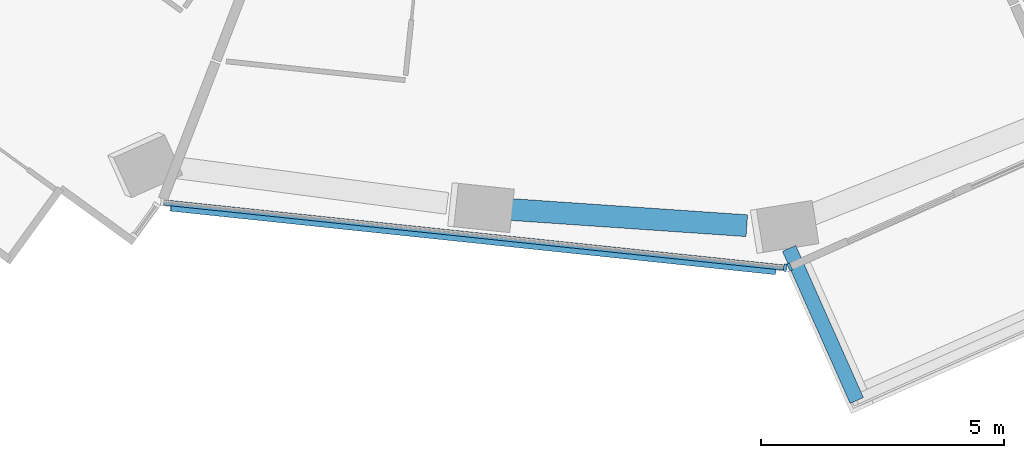
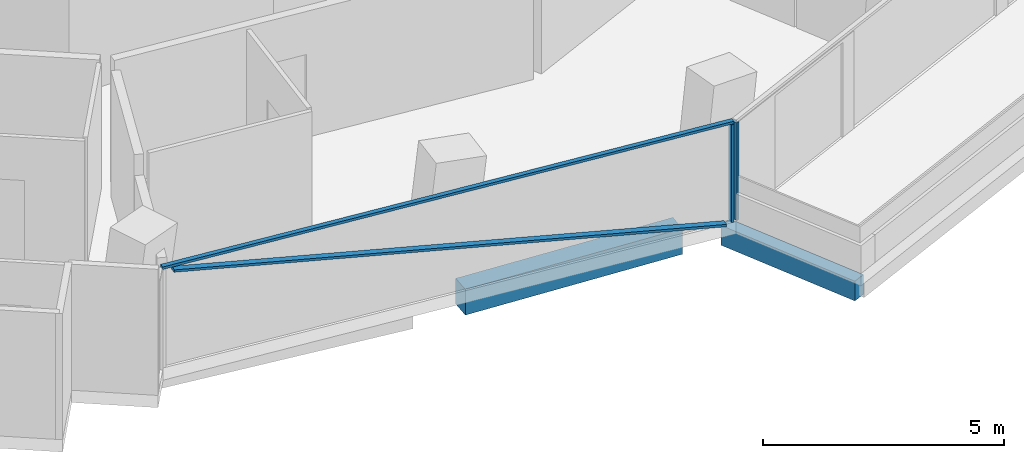
# One storey, part 3 of 23: 4 members, 2 beams, 2 elements without a shape of their own.
"""IFC4 building model written with IfcOpenShell, lengths in metres."""

from ifc_helpers import new_model, si_unit, direction, frame, origin, origin_2d, place, context, subcontext, project, spatial, rectangle, extrude, material, layer, layer_set, material_profile, profile_set, type_object, element, aggregate, save


model = new_model("IFC4")

# Units and contexts
model_context = context("Model", 3, precision=1e-05, world=origin(), true_north=direction((0.0, 1.0)))
body_context = subcontext(model_context, "Body", "Model", "MODEL_VIEW")
ifc_project = project(units=[si_unit("LENGTHUNIT", "METRE"), si_unit("AREAUNIT", "SQUARE_METRE"), si_unit("VOLUMEUNIT", "CUBIC_METRE"), si_unit("PLANEANGLEUNIT", "RADIAN"), si_unit("MASSUNIT", "GRAM", prefix="KILO")], contexts=[model_context])

# Site, building, storey
site_placement = place(None, origin())
site = spatial("IfcSite", under=ifc_project, at=site_placement, CompositionType="ELEMENT")
building_placement = place(site_placement, origin())
building = spatial("IfcBuilding", under=site, at=building_placement, Name="Verdalira Terraces Hotel", CompositionType="ELEMENT")
storey_placement = place(building_placement, frame((0.0, 0.0, 133.0)))
storey = spatial("IfcBuildingStorey", under=building, at=storey_placement, Name="L31", CompositionType="ELEMENT", Elevation=133.0)

# Beam
ifc_material_1 = material(Name="Concrete C40", Category="concrete")
ifc_material_profile_1 = material_profile(ifc_material_1, rectangle(XDim=0.300049, YDim=0.5, at=origin_2d()), Name="RC 300X500")
ifc_profile_set_1 = profile_set([ifc_material_profile_1], Name="Concrete C40")
beam_type_1 = type_object("IfcBeamType", Name="Balcony cantilever beam RC 300X500 C40", PredefinedType="BEAM", material=ifc_profile_set_1)
beam_1_placement = place(storey_placement, frame((3.950195, -24.326172, -0.560059), z_axis=(0.406660336, -0.913579428, 0.0), x_axis=(0.913579428, 0.406660336, 0.0)))
element("IfcBeam", 1, at=beam_1_placement, inside=storey, type_object=beam_type_1, Name="Balcony cantilever beam R26-1", PredefinedType="BEAM", context=body_context, shape_type="SweptSolid", body=[
    extrude(rectangle(XDim=0.300049, YDim=0.5, at=origin_2d()), origin(), (0.0, 0.0, 1.0), 3.428711),
])

# Curtain wall, member
ifc_material_2 = material(Name="Clear glass", Category="glass")
ifc_layer = layer(ifc_material_2, 0.14990234375)
ifc_layer_set = layer_set([ifc_layer], Name="CW1 curtain wall")
curtain_wall_type = type_object("IfcCurtainWallType", Name="CW1 curtain wall", PredefinedType="NOTDEFINED", material=ifc_layer_set)
curtain_wall_1_placement = place(storey_placement, origin())
curtain_wall_1 = element("IfcCurtainWall", 2, at=curtain_wall_1_placement, inside=storey, type_object=curtain_wall_type, Name="CW1 curtain wall L31 edge 25", PredefinedType="NOTDEFINED")
ifc_material_3 = material(Name="Terracotta frame", Category="masonry")
ifc_material_profile_2 = material_profile(ifc_material_3, rectangle(XDim=0.060059, YDim=0.149902, at=origin_2d()), Name="MU 60x150")
ifc_profile_set_2 = profile_set([ifc_material_profile_2], Name="Terracotta frame")
member_type_1 = type_object("IfcMemberType", Name="CW1 mullion 60x150", PredefinedType="MULLION", material=ifc_profile_set_2)
member_1_placement = place(storey_placement, frame((3.866699, -24.7229, 0.0), z_axis=(0.0, 0.0, 1.0), x_axis=(0.994521895, -0.104528463, 0.0)))
member_1 = element("IfcMember", 3, at=member_1_placement, type_object=member_type_1, Name="CW1 mullion", PredefinedType="MULLION", context=body_context, shape_type="SweptSolid", body=[
    extrude(rectangle(XDim=0.060059, YDim=0.149902, at=origin_2d()), origin(), (0.0, 0.0, 1.0), 2.475098),
])

curtain_wall_2_placement = place(storey_placement, origin())
curtain_wall_2 = element("IfcCurtainWall", 4, at=curtain_wall_2_placement, inside=storey, type_object=curtain_wall_type, Name="CW1 curtain wall L31 edge 26", PredefinedType="NOTDEFINED")
member_2_placement = place(storey_placement, frame((3.962402, -24.707764, 0.0), z_axis=(0.0, 0.0, 1.0), x_axis=(0.913545458, 0.406736643, 0.0)))
member_2 = element("IfcMember", 5, at=member_2_placement, type_object=member_type_1, Name="CW1 mullion", PredefinedType="MULLION", context=body_context, shape_type="SweptSolid", body=[
    extrude(rectangle(XDim=0.060059, YDim=0.149902, at=origin_2d()), origin(), (0.0, 0.0, 1.0), 2.475098),
])
aggregate(curtain_wall_2, [member_2])

# Member
ifc_material_4 = material(Name="Terracotta frame", Category="masonry")
ifc_material_profile_3 = material_profile(ifc_material_4, rectangle(XDim=0.110107, YDim=0.064941, at=origin_2d()), Name="TR 65x110")
ifc_profile_set_3 = profile_set([ifc_material_profile_3], Name="Terracotta frame")
member_type_2 = type_object("IfcMemberType", Name="CW1 transom 65x110", PredefinedType="USERDEFINED", material=ifc_profile_set_3)
member_3_placement = place(storey_placement, frame((-8.992188, -23.371338, 2.507568), z_axis=(0.994521235, -0.104534746, 0.0), x_axis=(0.104534746, 0.994521235, 0.0)))
member_3 = element("IfcMember", 6, at=member_3_placement, type_object=member_type_2, Name="CW1 transom", ObjectType="TRANSOM", PredefinedType="USERDEFINED", context=body_context, shape_type="SweptSolid", body=[
    extrude(rectangle(XDim=0.110107, YDim=0.064941, at=origin_2d()), origin(), (0.0, 0.0, 1.0), 12.959717),
])

ifc_material_5 = material(Name="Terracotta frame", Category="masonry")
ifc_material_profile_4 = material_profile(ifc_material_5, rectangle(XDim=0.149902, YDim=0.060059, at=origin_2d()), Name="GB 60x150")
ifc_profile_set_4 = profile_set([ifc_material_profile_4], Name="Terracotta frame")
member_type_3 = type_object("IfcMemberType", Name="Diagonal glazing bar 60x150", PredefinedType="USERDEFINED", material=ifc_profile_set_4)
member_4_placement = place(storey_placement, frame((-8.787842, -23.482422, 2.445068), z_axis=(0.976544571, -0.102644129, -0.189274626), x_axis=(0.104533659, 0.994521349, 0.0)))
member_4 = element("IfcMember", 7, at=member_4_placement, type_object=member_type_3, Name="Diagonal glazing bar", ObjectType="GLAZING BAR", PredefinedType="USERDEFINED", context=body_context, shape_type="SweptSolid", body=[
    extrude(rectangle(XDim=0.149902, YDim=0.060059, at=origin_2d()), origin(), (0.0, 0.0, 1.0), 12.760742),
])

aggregate(curtain_wall_1, [member_1, member_3, member_4])

# Beam
ifc_material_6 = material(Name="Concrete C50", Category="concrete")
ifc_material_profile_5 = material_profile(ifc_material_6, rectangle(XDim=0.449951, YDim=0.649902, at=origin_2d()), Name="RC 450X650")
ifc_profile_set_5 = profile_set([ifc_material_profile_5], Name="Concrete C50")
beam_type_2 = type_object("IfcBeamType", Name="Spandrel beam RC 450X650 C50", PredefinedType="SPANDREL", material=ifc_profile_set_5)
beam_2_placement = place(storey_placement, frame((-1.921143, -23.514404, -0.63501), z_axis=(0.997655509, -0.068435992, 0.0), x_axis=(0.068435992, 0.997655509, 0.0)))
element("IfcBeam", 8, at=beam_2_placement, inside=storey, type_object=beam_type_2, Name="Spandrel beam B10", PredefinedType="SPANDREL", context=body_context, shape_type="SweptSolid", body=[
    extrude(rectangle(XDim=0.449951, YDim=0.649902, at=origin_2d()), origin(), (0.0, 0.0, 1.0), 5.012207),
])

save(model, "model.ifc")
